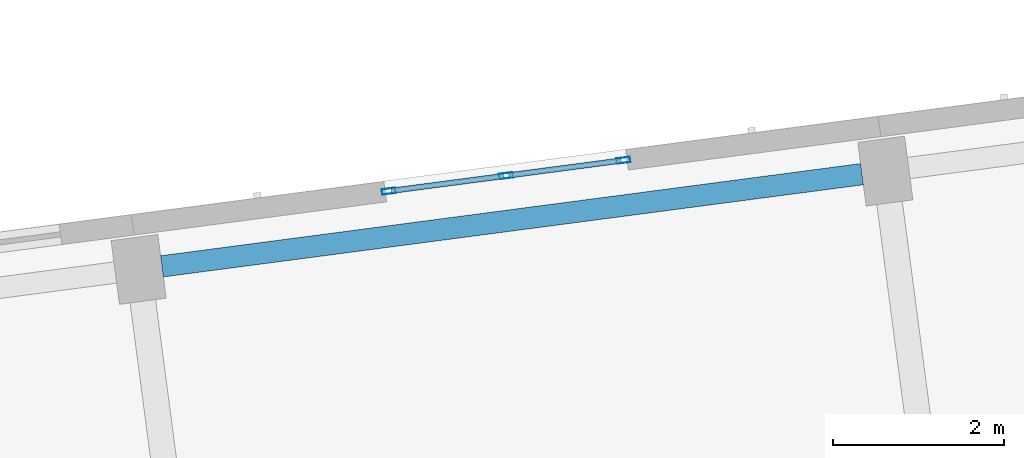
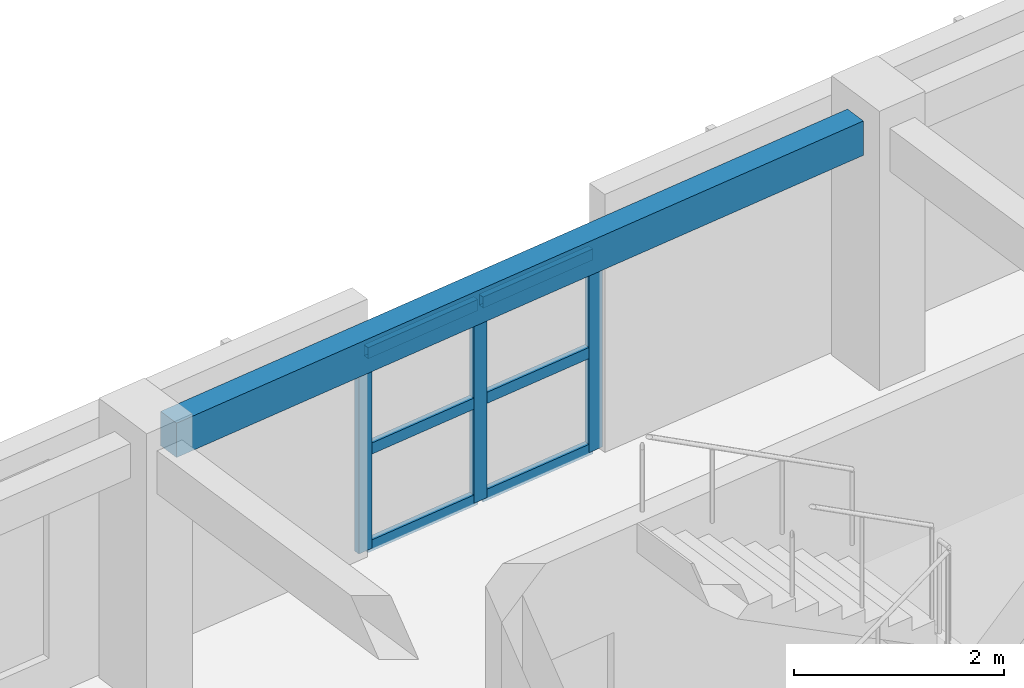
# One storey, part 6 of 74: 9 members, 1 beam, 1 element without a shape of its own.
"""IFC4 building model written with IfcOpenShell, lengths in metres."""

from ifc_helpers import new_model, si_unit, direction, frame, origin, origin_2d, place, context, subcontext, project, spatial, rectangle, hollow_rectangle, extrude, material, material_profile, profile_set, type_object, element, aggregate, save


model = new_model("IFC4")

# Units and contexts
model_context = context("Model", 3, precision=1e-05, world=origin(), true_north=direction((0.0, 1.0)))
body_context = subcontext(model_context, "Body", "Model", "MODEL_VIEW")
ifc_project = project(units=[si_unit("LENGTHUNIT", "METRE"), si_unit("AREAUNIT", "SQUARE_METRE"), si_unit("VOLUMEUNIT", "CUBIC_METRE"), si_unit("PLANEANGLEUNIT", "RADIAN"), si_unit("MASSUNIT", "GRAM", prefix="KILO")], contexts=[model_context])

# Site, building, storey
site_placement = place(None, origin())
site = spatial("IfcSite", under=ifc_project, at=site_placement, CompositionType="ELEMENT")
building_placement = place(site_placement, origin())
building = spatial("IfcBuilding", under=site, at=building_placement, Name="Kestramere Prow Commons", CompositionType="ELEMENT")
storey_placement = place(building_placement, frame((0.0, 0.0, 11.64990234375)))
storey = spatial("IfcBuildingStorey", under=building, at=storey_placement, Name="L03", CompositionType="ELEMENT", Elevation=11.64990234375)

# Curtain wall, members
ifc_material_1 = material(Name="Anodised Aluminium and Low-E Glass", Category="aluminium")
curtain_wall_type = type_object("IfcCurtainWallType", Name="CW-03 Glazed Curtain Wall 2830x2320", PredefinedType="USERDEFINED", material=ifc_material_1)
curtain_wall_placement = place(storey_placement, origin())
curtain_wall = element("IfcCurtainWall", 1, at=curtain_wall_placement, inside=storey, type_object=curtain_wall_type, Name="Block A L03 Stairwell Vertical Glazing 2", ObjectType="GLAZED CURTAIN WALL", PredefinedType="USERDEFINED")
ifc_material_2 = material(Name="Anodised Aluminium 6063-T6", Category="aluminium")
ifc_material_profile_1 = material_profile(ifc_material_2, hollow_rectangle(XDim=0.06494140625, YDim=0.159912109375, WallThickness=0.00390625, at=origin_2d()), Name="ALU-MUL 65x160")
ifc_profile_set_1 = profile_set([ifc_material_profile_1], Name="Anodised Aluminium 6063-T6")
member_type_1 = type_object("IfcMemberType", Name="CW-MUL-65x160", PredefinedType="MULLION", material=ifc_profile_set_1)
member_1_placement = place(storey_placement, frame((20.2373046875, 93.891845703125, 0.0), z_axis=(0.0, 0.0, 1.0), x_axis=(-0.13052614723, 0.991444867297, 0.0)))
member_1 = element("IfcMember", 2, at=member_1_placement, type_object=member_type_1, Name="CW-03 mullion 1", PredefinedType="MULLION", context=body_context, shape_type="SweptSolid", body=[
    extrude(hollow_rectangle(XDim=0.06494140625, YDim=0.159912109375, WallThickness=0.00390625, at=origin_2d()), origin(), (0.0, 0.0, 1.0), 2.320068359375),
])
member_2_placement = place(storey_placement, frame((21.60791015625, 94.072265625, 0.0), z_axis=(0.0, 0.0, 1.0), x_axis=(-0.13052614723, 0.991444867297, 0.0)))
member_2 = element("IfcMember", 3, at=member_2_placement, type_object=member_type_1, Name="CW-03 mullion 2", PredefinedType="MULLION", context=body_context, shape_type="SweptSolid", body=[
    extrude(hollow_rectangle(XDim=0.06494140625, YDim=0.159912109375, WallThickness=0.00390625, at=origin_2d()), origin(), (0.0, 0.0, 1.0), 2.320068359375),
])
member_3_placement = place(storey_placement, frame((22.978759765625, 94.252685546875, 0.0), z_axis=(0.0, 0.0, 1.0), x_axis=(-0.13052614723, 0.991444867297, 0.0)))
member_3 = element("IfcMember", 4, at=member_3_placement, type_object=member_type_1, Name="CW-03 mullion 3", PredefinedType="MULLION", context=body_context, shape_type="SweptSolid", body=[
    extrude(hollow_rectangle(XDim=0.06494140625, YDim=0.159912109375, WallThickness=0.00390625, at=origin_2d()), origin(), (0.0, 0.0, 1.0), 2.320068359375),
])
ifc_material_profile_2 = material_profile(ifc_material_2, hollow_rectangle(XDim=0.06494140625, YDim=0.1298828125, WallThickness=0.00390625, at=origin_2d()), Name="ALU-TRN 65x130")
ifc_profile_set_2 = profile_set([ifc_material_profile_2], Name="Anodised Aluminium 6063-T6")
member_type_2 = type_object("IfcMemberType", Name="CW-TRN-65x130", PredefinedType="USERDEFINED", material=ifc_profile_set_2)
member_4_placement = place(storey_placement, frame((20.26953125, 93.896240234375, 0.03271484375), z_axis=(0.991453033969, 0.130464100171, 0.0), x_axis=(-0.130464100171, 0.991453033969, 0.0)))
member_4 = element("IfcMember", 5, at=member_4_placement, type_object=member_type_2, Name="CW-03 transom 1.1", ObjectType="TRANSOM", PredefinedType="USERDEFINED", context=body_context, shape_type="SweptSolid", body=[
    extrude(hollow_rectangle(XDim=0.06494140625, YDim=0.1298828125, WallThickness=0.00390625, at=origin_2d()), origin(), (0.0, 0.0, 1.0), 1.3173828125),
])
member_5_placement = place(storey_placement, frame((20.26953125, 93.896240234375, 1.16015625), z_axis=(0.991453033969, 0.130464100171, 0.0), x_axis=(-0.130464100171, 0.991453033969, 0.0)))
member_5 = element("IfcMember", 6, at=member_5_placement, type_object=member_type_2, Name="CW-03 transom 1.2", ObjectType="TRANSOM", PredefinedType="USERDEFINED", context=body_context, shape_type="SweptSolid", body=[
    extrude(hollow_rectangle(XDim=0.06494140625, YDim=0.1298828125, WallThickness=0.00390625, at=origin_2d()), origin(), (0.0, 0.0, 1.0), 1.3173828125),
])
member_6_placement = place(storey_placement, frame((20.26953125, 93.896240234375, 2.28759765625), z_axis=(0.991453033969, 0.130464100171, 0.0), x_axis=(-0.130464100171, 0.991453033969, 0.0)))
member_6 = element("IfcMember", 7, at=member_6_placement, type_object=member_type_2, Name="CW-03 transom 1.3", ObjectType="TRANSOM", PredefinedType="USERDEFINED", context=body_context, shape_type="SweptSolid", body=[
    extrude(hollow_rectangle(XDim=0.06494140625, YDim=0.1298828125, WallThickness=0.00390625, at=origin_2d()), origin(), (0.0, 0.0, 1.0), 1.3173828125),
])
member_7_placement = place(storey_placement, frame((21.64013671875, 94.07666015625, 0.03271484375), z_axis=(0.991456187381, 0.130440133791, 0.0), x_axis=(-0.130440133791, 0.991456187381, 0.0)))
member_7 = element("IfcMember", 8, at=member_7_placement, type_object=member_type_2, Name="CW-03 transom 2.1", ObjectType="TRANSOM", PredefinedType="USERDEFINED", context=body_context, shape_type="SweptSolid", body=[
    extrude(hollow_rectangle(XDim=0.06494140625, YDim=0.1298828125, WallThickness=0.00390625, at=origin_2d()), origin(), (0.0, 0.0, 1.0), 1.317626953125),
])
member_8_placement = place(storey_placement, frame((21.64013671875, 94.07666015625, 1.16015625), z_axis=(0.991456187381, 0.130440133791, 0.0), x_axis=(-0.130440133791, 0.991456187381, 0.0)))
member_8 = element("IfcMember", 9, at=member_8_placement, type_object=member_type_2, Name="CW-03 transom 2.2", ObjectType="TRANSOM", PredefinedType="USERDEFINED", context=body_context, shape_type="SweptSolid", body=[
    extrude(hollow_rectangle(XDim=0.06494140625, YDim=0.1298828125, WallThickness=0.00390625, at=origin_2d()), origin(), (0.0, 0.0, 1.0), 1.317626953125),
])
member_9_placement = place(storey_placement, frame((21.64013671875, 94.07666015625, 2.28759765625), z_axis=(0.991456187381, 0.130440133791, 0.0), x_axis=(-0.130440133791, 0.991456187381, 0.0)))
member_9 = element("IfcMember", 10, at=member_9_placement, type_object=member_type_2, Name="CW-03 transom 2.3", ObjectType="TRANSOM", PredefinedType="USERDEFINED", context=body_context, shape_type="SweptSolid", body=[
    extrude(hollow_rectangle(XDim=0.06494140625, YDim=0.1298828125, WallThickness=0.00390625, at=origin_2d()), origin(), (0.0, 0.0, 1.0), 1.317626953125),
])
aggregate(curtain_wall, [member_1, member_2, member_3, member_4, member_5, member_6, member_7, member_8, member_9])

# Beam
ifc_material_3 = material(Name="Precast concrete C40/50", Category="concrete")
ifc_material_profile_3 = material_profile(ifc_material_3, rectangle(XDim=0.25, YDim=0.39990234375, at=origin_2d()), Name="PC-SP 250x400")
ifc_profile_set_3 = profile_set([ifc_material_profile_3], Name="Precast concrete C40/50")
beam_type = type_object("IfcBeamType", Name="SP-EXT-01 PC-SP 250x400", PredefinedType="SPANDREL", material=ifc_profile_set_3)
beam_placement = place(storey_placement, frame((17.5869140625, 93.013427734375, 2.800048828125), z_axis=(0.991443917843, 0.130533358852, 0.0), x_axis=(-0.130533358852, 0.991443917843, 0.0)))
element("IfcBeam", 11, at=beam_placement, inside=storey, type_object=beam_type, Name="Block A L03 Longitudinal Beam 4-2", PredefinedType="SPANDREL", context=body_context, shape_type="SweptSolid", body=[
    extrude(rectangle(XDim=0.25, YDim=0.39990234375, at=origin_2d()), origin(), (0.0, 0.0, 1.0), 8.25),
])

save(model, "model.ifc")
